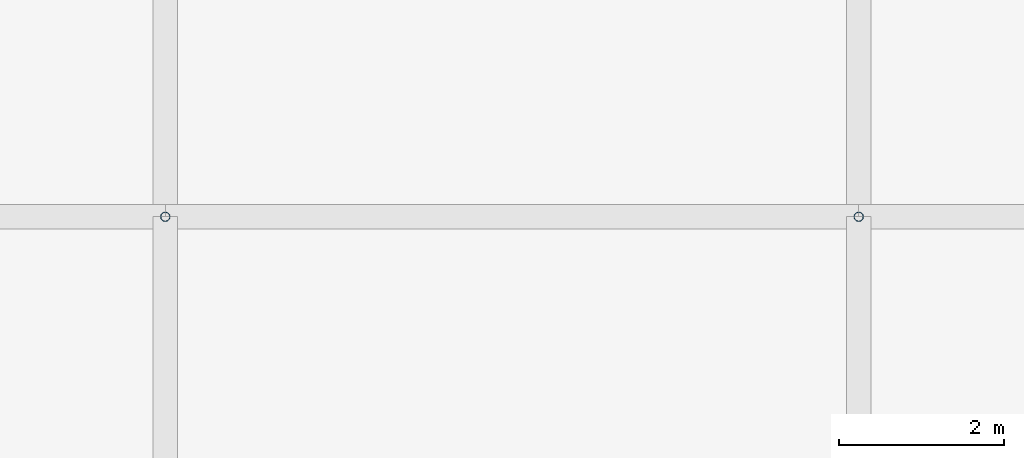
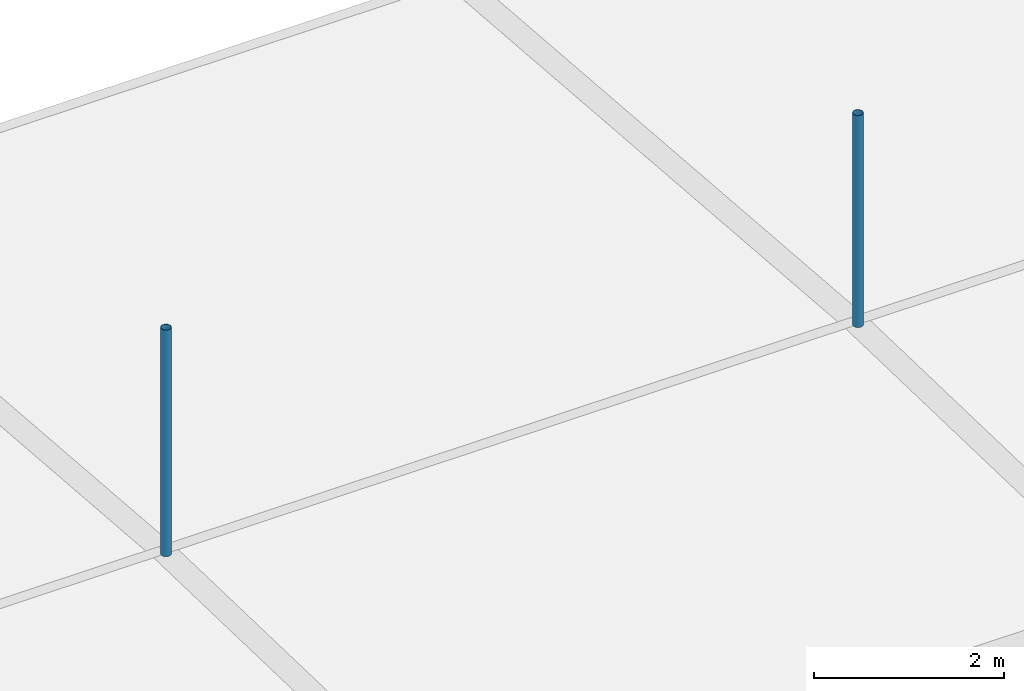
# One storey, part 24 of 37: 2 discrete accessories.
"""IFC4 building model written with IfcOpenShell, lengths in metres."""

from ifc_helpers import new_model, si_unit, direction, frame, origin, origin_2d, place, context, subcontext, project, spatial, hollow_circle, extrude, material, material_profile, profile_set, type_object, element, save


model = new_model("IFC4")

# Units and contexts
model_context = context("Model", 3, precision=1e-05, world=origin(), true_north=direction((0.0, 1.0)))
body_context = subcontext(model_context, "Body", "Model", "MODEL_VIEW")
ifc_project = project(units=[si_unit("LENGTHUNIT", "METRE"), si_unit("AREAUNIT", "SQUARE_METRE"), si_unit("VOLUMEUNIT", "CUBIC_METRE"), si_unit("PLANEANGLEUNIT", "RADIAN"), si_unit("MASSUNIT", "GRAM", prefix="KILO")], contexts=[model_context])

# Site, building, storey
site_placement = place(None, origin())
site = spatial("IfcSite", under=ifc_project, at=site_placement, CompositionType="ELEMENT")
building_placement = place(site_placement, origin())
building = spatial("IfcBuilding", under=site, at=building_placement, Name="Rain Tree Exposition and Congress Centre", CompositionType="ELEMENT")
storey_placement = place(building_placement, frame((0.0, 0.0, 25.0)))
storey = spatial("IfcBuildingStorey", under=building, at=storey_placement, Name="ROOF VAULT LOW", CompositionType="ELEMENT", Elevation=25.0)

# Discrete accessories
ifc_material = material(Name="Steel S355J2H", Category="steel")
ifc_material_profile = material_profile(ifc_material, hollow_circle(Radius=0.05712890625, WallThickness=0.00439453125, at=origin_2d()), Name="CHS 114x4.5")
ifc_profile_set = profile_set([ifc_material_profile], Name="Steel S355J2H")
discrete_accessory_type = type_object("IfcDiscreteAccessoryType", Name="Roof skin post CHS 114x4.5", PredefinedType="BRACKET", material=ifc_profile_set)
discrete_accessory_1_placement = place(storey_placement, frame((92.39990234375, 159.60009765625, 1.1728515625), z_axis=(0.0, 0.0, 1.0), x_axis=(1.0, 0.0, 0.0)))
element("IfcDiscreteAccessory", 1, at=discrete_accessory_1_placement, inside=storey, type_object=discrete_accessory_type, Name="Roof skin post A116", PredefinedType="BRACKET", context=body_context, shape_type="SweptSolid", body=[
    extrude(hollow_circle(Radius=0.05712890625, WallThickness=0.00439453125, at=origin_2d()), origin(), (0.0, 0.0, 1.0), 2.907958984375),
])
discrete_accessory_2_placement = place(storey_placement, frame((100.800048828125, 159.60009765625, 1.1728515625), z_axis=(0.0, 0.0, 1.0), x_axis=(1.0, 0.0, 0.0)))
element("IfcDiscreteAccessory", 2, at=discrete_accessory_2_placement, inside=storey, type_object=discrete_accessory_type, Name="Roof skin post A117", PredefinedType="BRACKET", context=body_context, shape_type="SweptSolid", body=[
    extrude(hollow_circle(Radius=0.05712890625, WallThickness=0.00439453125, at=origin_2d()), origin(), (0.0, 0.0, 1.0), 2.719970703125),
])

save(model, "model.ifc")
